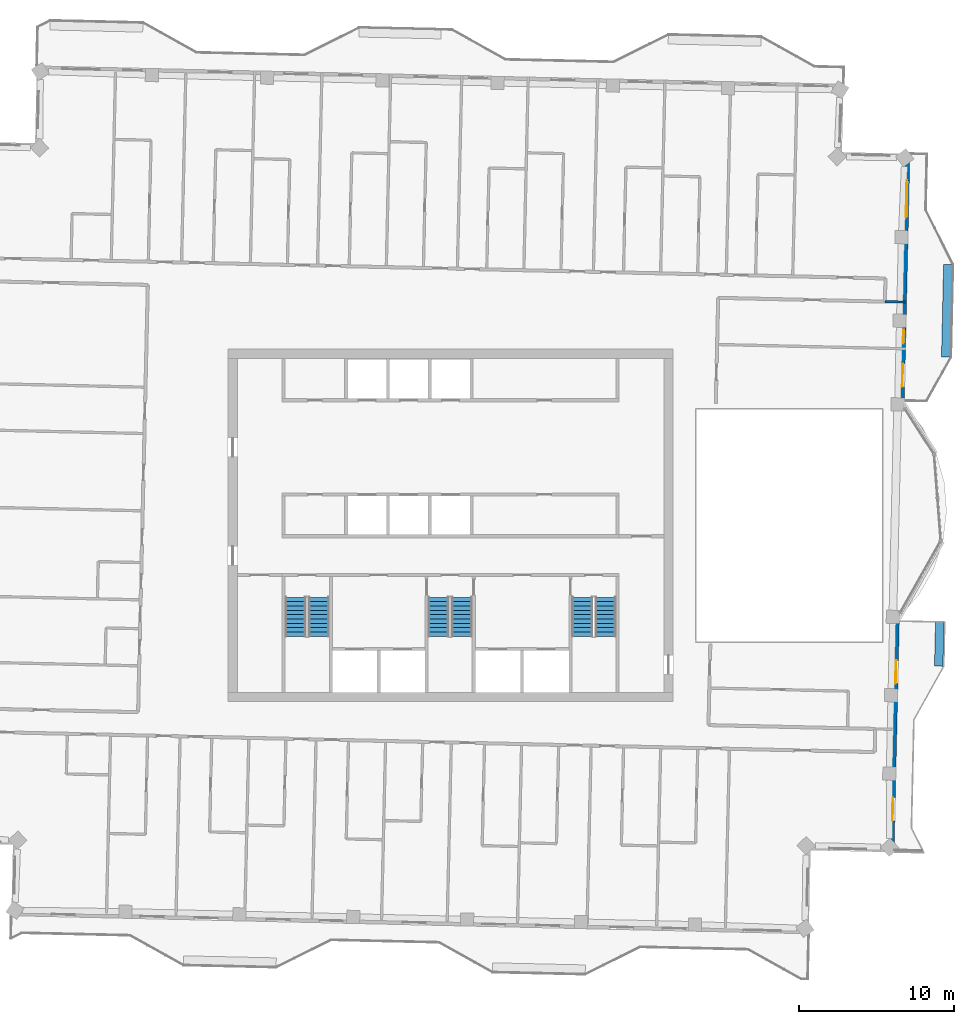
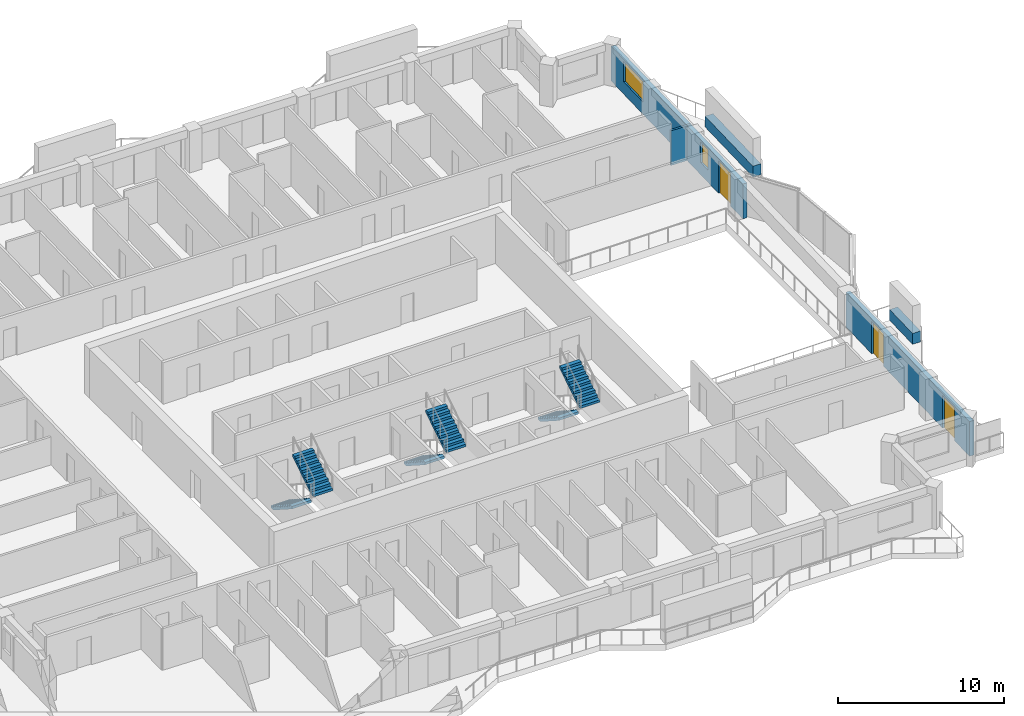
# One storey, part 11 of 15: 6 stair flights, 5 walls, 3 doors, 2 windows, 5 openings, 3 elements without a shape of their own.
"""IFC4 building model written with IfcOpenShell, lengths in metres."""

from ifc_helpers import new_model, si_unit, direction, frame, frame_2d, origin, place, context, subcontext, project, spatial, polyline, rectangle, outline, extrude, material, layer, layer_set, type_object, element, fill, aggregate, save


model = new_model("IFC4")

# Units and contexts
model_context = context("Model", 3, precision=1e-05, world=origin(), true_north=direction((0.0, 1.0)))
body_context = subcontext(model_context, "Body", "Model", "MODEL_VIEW")
ifc_project = project(units=[si_unit("LENGTHUNIT", "METRE"), si_unit("AREAUNIT", "SQUARE_METRE"), si_unit("VOLUMEUNIT", "CUBIC_METRE"), si_unit("PLANEANGLEUNIT", "RADIAN"), si_unit("MASSUNIT", "GRAM", prefix="KILO")], contexts=[model_context])

# Site, building, storey
site_placement = place(None, origin())
site = spatial("IfcSite", under=ifc_project, at=site_placement, CompositionType="ELEMENT")
building_placement = place(site_placement, origin())
building = spatial("IfcBuilding", under=site, at=building_placement, Name="Mangrove Gate Tower", CompositionType="ELEMENT")
storey_placement = place(building_placement, frame((0.0, 0.0, 320.5)))
storey = spatial("IfcBuildingStorey", under=building, at=storey_placement, Name="L82", CompositionType="ELEMENT", Elevation=320.5)

# Wall, openings, doors
ifc_material_1 = material(Name="Limestone", Category="masonry")
ifc_layer_1 = layer(ifc_material_1, 0.0400390625, Name="Limestone cladding")
ifc_material_2 = material(Name="Ventilated air gap")
ifc_layer_2 = layer(ifc_material_2, 0.0400390625, Name="Ventilated cavity")
ifc_material_3 = material(Name="Mineral wool insulation")
ifc_layer_3 = layer(ifc_material_3, 0.06005859375, Name="Insulation")
ifc_material_4 = material(Name="Breather membrane")
ifc_layer_4 = layer(ifc_material_4, 0.001953125, Name="Breather membrane")
ifc_material_5 = material(Name="Concrete C20/25 blockwork", Category="masonry")
ifc_layer_5 = layer(ifc_material_5, 0.14990234375, Name="Blockwork backing wall")
ifc_material_6 = material(Name="Gypsum plaster")
ifc_layer_6 = layer(ifc_material_6, 0.008056640625, Name="Internal plaster")
ifc_layer_set_1 = layer_set([ifc_layer_1, ifc_layer_2, ifc_layer_3, ifc_layer_4, ifc_layer_5, ifc_layer_6], Name="External wall 300 limestone cladding")
wall_type_1 = type_object("IfcWallType", Name="External wall 300 limestone cladding", PredefinedType="SOLIDWALL", material=ifc_layer_set_1)
wall_1_placement = place(storey_placement, frame((28.5439453125, -20.989990234375, 0.0), z_axis=(0.0, 0.0, 1.0), x_axis=(0.02271281838, 0.999742030667, 0.0)))
wall_1 = element("IfcWall", 1, at=wall_1_placement, inside=storey, type_object=wall_type_1, Name="WALL-L82-E0s1", PredefinedType="SOLIDWALL", context=body_context, shape_type="SweptSolid", body=[
    extrude(rectangle(XDim=15.5, YDim=0.300048828125, at=frame_2d((7.75, 0.0))), origin(), (0.0, 0.0, 1.0), 2.550048828125),
])
opening_1_placement = place(wall_1_placement, frame((1.8798828125, 0.0, 0.0)))
opening_1 = element("IfcOpeningElement", 2, at=opening_1_placement, cuts=wall_1, Name="Opening BD1", PredefinedType="OPENING", context=body_context, shape_type="SweptSolid", body=[
    extrude(rectangle(XDim=1.5, YDim=2.39990234375, at=frame_2d((0.75, 1.199951171875))), frame((0.0, 0.159912109375, 0.0), z_axis=(0.0, -1.0, 0.0), x_axis=(1.0, 0.0, 0.0)), (0.0, 0.0, 1.0), 0.320068359375),
])
opening_2_placement = place(wall_1_placement, frame((10.758056640625, 0.0, 0.0)))
opening_2 = element("IfcOpeningElement", 3, at=opening_2_placement, cuts=wall_1, Name="Opening BD1", PredefinedType="OPENING", context=body_context, shape_type="SweptSolid", body=[
    extrude(rectangle(XDim=1.5, YDim=2.39990234375, at=frame_2d((0.75, 1.199951171875))), frame((0.0, 0.159912109375, 0.0), z_axis=(0.0, -1.0, 0.0), x_axis=(1.0, 0.0, 0.0)), (0.0, 0.0, 1.0), 0.320068359375),
])
ifc_material_7 = material(Name="Aluminium frame with laminated clear glass", Category="aluminium")
door_type = type_object("IfcDoorType", Name="Balcony sliding door 1500x2400", OperationType="SLIDING_TO_LEFT", PredefinedType="DOOR", material=ifc_material_7)
door_1_placement = place(opening_1_placement, origin())
door_1 = element("IfcDoor", 4, at=door_1_placement, inside=storey, type_object=door_type, Name="DOOR-L82-E0-1", OperationType="SLIDING_TO_LEFT", OverallHeight=2.39990234375, OverallWidth=1.5, PredefinedType="DOOR", context=body_context, shape_type="SweptSolid", body=[
    extrude(rectangle(XDim=1.5, YDim=2.39990234375, at=frame_2d((0.75, 1.199951171875))), frame((0.0, 0.02490234375, 0.0), z_axis=(0.0, -1.0, 0.0), x_axis=(1.0, 0.0, 0.0)), (0.0, 0.0, 1.0), 0.050048828125),
])
fill(opening_1, door_1)
door_2_placement = place(opening_2_placement, origin())
door_2 = element("IfcDoor", 5, at=door_2_placement, inside=storey, type_object=door_type, Name="DOOR-L82-E0-2", OperationType="SLIDING_TO_LEFT", OverallHeight=2.39990234375, OverallWidth=1.5, PredefinedType="DOOR", context=body_context, shape_type="SweptSolid", body=[
    extrude(rectangle(XDim=1.5, YDim=2.39990234375, at=frame_2d((0.75, 1.199951171875))), frame((0.0, 0.02490234375, 0.0), z_axis=(0.0, -1.0, 0.0), x_axis=(1.0, 0.0, 0.0)), (0.0, 0.0, 1.0), 0.050048828125),
])
fill(opening_2, door_2)

# Wall, openings, door, windows
wall_2_placement = place(storey_placement, frame((29.18798828125, 7.404052734375, 0.0), z_axis=(0.0, 0.0, 1.0), x_axis=(0.022728463996, 0.999741675096, 0.0)))
wall_2 = element("IfcWall", 6, at=wall_2_placement, inside=storey, type_object=wall_type_1, Name="WALL-L82-E2s1", PredefinedType="SOLIDWALL", context=body_context, shape_type="SweptSolid", body=[
    extrude(rectangle(XDim=16.4990234375, YDim=0.300048828125, at=frame_2d((8.24951171875, 0.0))), origin(), (0.0, 0.0, 1.0), 2.550048828125),
])
opening_3_placement = place(wall_2_placement, frame((1.56298828125, 0.0, 0.0)))
opening_3 = element("IfcOpeningElement", 7, at=opening_3_placement, cuts=wall_2, Name="Opening BD1", PredefinedType="OPENING", context=body_context, shape_type="SweptSolid", body=[
    extrude(rectangle(XDim=1.5, YDim=2.39990234375, at=frame_2d((0.75, 1.199951171875))), frame((0.0, 0.159912109375, 0.0), z_axis=(0.0, -1.0, 0.0), x_axis=(1.0, 0.0, 0.0)), (0.0, 0.0, 1.0), 0.320068359375),
])
opening_4_placement = place(wall_2_placement, frame((4.366943359375, 0.0, 0.89990234375)))
opening_4 = element("IfcOpeningElement", 8, at=opening_4_placement, cuts=wall_2, Name="Opening W5", PredefinedType="OPENING", context=body_context, shape_type="SweptSolid", body=[
    extrude(rectangle(XDim=0.89990234375, YDim=1.5, at=frame_2d((0.449951171875, 0.75))), frame((0.0, 0.159912109375, 0.0), z_axis=(0.0, -1.0, 0.0), x_axis=(1.0, 0.0, 0.0)), (0.0, 0.0, 1.0), 0.320068359375),
])
opening_5_placement = place(wall_2_placement, frame((12.52392578125, 0.0, 0.89990234375)))
opening_5 = element("IfcOpeningElement", 9, at=opening_5_placement, cuts=wall_2, Name="Opening W2", PredefinedType="OPENING", context=body_context, shape_type="SweptSolid", body=[
    extrude(rectangle(XDim=2.39990234375, YDim=1.5, at=frame_2d((1.199951171875, 0.75))), frame((0.0, 0.159912109375, 0.0), z_axis=(0.0, -1.0, 0.0), x_axis=(1.0, 0.0, 0.0)), (0.0, 0.0, 1.0), 0.320068359375),
])
door_3_placement = place(opening_3_placement, origin())
door_3 = element("IfcDoor", 10, at=door_3_placement, inside=storey, type_object=door_type, Name="DOOR-L82-E2-1", OperationType="SLIDING_TO_LEFT", OverallHeight=2.39990234375, OverallWidth=1.5, PredefinedType="DOOR", context=body_context, shape_type="SweptSolid", body=[
    extrude(rectangle(XDim=1.5, YDim=2.39990234375, at=frame_2d((0.75, 1.199951171875))), frame((0.0, 0.02490234375, 0.0), z_axis=(0.0, -1.0, 0.0), x_axis=(1.0, 0.0, 0.0)), (0.0, 0.0, 1.0), 0.050048828125),
])
fill(opening_3, door_3)
ifc_material_8 = material(Name="Aluminium frame with double-glazed low-e glass", Category="aluminium")
window_type_1 = type_object("IfcWindowType", Name="Corner room window 2400x1500", PartitioningType="DOUBLE_PANEL_VERTICAL", PredefinedType="WINDOW", material=ifc_material_8)
window_1_placement = place(opening_5_placement, origin())
window_1 = element("IfcWindow", 11, at=window_1_placement, inside=storey, type_object=window_type_1, Name="WIN-L82-E2-3", OverallHeight=1.5, OverallWidth=2.39990234375, PartitioningType="DOUBLE_PANEL_VERTICAL", PredefinedType="WINDOW", context=body_context, shape_type="SweptSolid", body=[
    extrude(rectangle(XDim=2.39990234375, YDim=1.5, at=frame_2d((1.199951171875, 0.75))), frame((0.0, 0.030029296875, 0.0), z_axis=(0.0, -1.0, 0.0), x_axis=(1.0, 0.0, 0.0)), (0.0, 0.0, 1.0), 0.06005859375),
])
fill(opening_5, window_1)
ifc_material_9 = material(Name="Aluminium frame with double-glazed low-e glass", Category="aluminium")
window_type_2 = type_object("IfcWindowType", Name="Narrow window 900x1500", PartitioningType="SINGLE_PANEL", PredefinedType="WINDOW", material=ifc_material_9)
window_2_placement = place(opening_4_placement, origin())
window_2 = element("IfcWindow", 12, at=window_2_placement, inside=storey, type_object=window_type_2, Name="WIN-L82-E2-2", OverallHeight=1.5, OverallWidth=0.89990234375, PartitioningType="SINGLE_PANEL", PredefinedType="WINDOW", context=body_context, shape_type="SweptSolid", body=[
    extrude(rectangle(XDim=0.89990234375, YDim=1.5, at=frame_2d((0.449951171875, 0.75))), frame((0.0, 0.030029296875, 0.0), z_axis=(0.0, -1.0, 0.0), x_axis=(1.0, 0.0, 0.0)), (0.0, 0.0, 1.0), 0.06005859375),
])
fill(opening_4, window_2)

# Walls
ifc_material_10 = material(Name="Gypsum board on steel stud, EI 60", Category="steel")
ifc_layer_7 = layer(ifc_material_10, 0.14990234375)
ifc_layer_set_2 = layer_set([ifc_layer_7], Name="Party wall 150 EI 60")
wall_type_2 = type_object("IfcWallType", Name="Party wall 150 EI 60", PredefinedType="PARTITIONING", material=ifc_layer_set_2)
wall_3_placement = place(storey_placement, frame((28.09912109375, 14.47998046875, 0.0), z_axis=(0.0, 0.0, 1.0), x_axis=(0.999738763928, -0.022856156732, 0.0)))
element("IfcWall", 13, at=wall_3_placement, inside=storey, type_object=wall_type_2, Name="WALL-L82-057", PredefinedType="PARTITIONING", context=body_context, shape_type="SweptSolid", body=[
    extrude(rectangle(XDim=1.399169921875, YDim=0.14990234375, at=frame_2d((0.69970703125, 0.0))), origin(), (0.0, 0.0, 1.0), 2.550048828125),
])
ifc_material_11 = material(Name="Concrete C32/40", Category="concrete")
ifc_layer_8 = layer(ifc_material_11, 0.199951171875, Name="Planter trough wall")
ifc_material_12 = material(Name="Bituminous waterproofing membrane")
ifc_layer_9 = layer(ifc_material_12, 0.0048828125, Name="Waterproofing")
ifc_material_13 = material(Name="Drainage board and gravel")
ifc_layer_10 = layer(ifc_material_13, 0.044921875, Name="Drainage layer")
ifc_material_14 = material(Name="Planting soil")
ifc_layer_11 = layer(ifc_material_14, 0.300048828125, Name="Growing medium")
ifc_layer_set_3 = layer_set([ifc_layer_8, ifc_layer_9, ifc_layer_10, ifc_layer_11], Name="Planter wall 550 C32/40")
wall_type_3 = type_object("IfcWallType", Name="Planter wall 550 C32/40", PredefinedType="USERDEFINED", material=ifc_layer_set_3)
wall_4_placement = place(storey_placement, frame((31.580078125, -9.10595703125, 0.0), z_axis=(0.0, 0.0, 1.0), x_axis=(0.022590224177, 0.999744808324, 0.0)))
element("IfcWall", 14, at=wall_4_placement, inside=storey, type_object=wall_type_3, Name="PLANTER L82 E0.1", ObjectType="PLANTER", PredefinedType="USERDEFINED", context=body_context, shape_type="SweptSolid", body=[
    extrude(rectangle(XDim=2.874755859375, YDim=0.550048828125, at=frame_2d((1.4375, 0.0))), origin(), (0.0, 0.0, 1.0), 0.800048828125),
])
wall_5_placement = place(storey_placement, frame((32.032958984375, 10.888916015625, 0.0), z_axis=(0.0, 0.0, 1.0), x_axis=(0.022662255828, 0.999743178102, 0.0)))
element("IfcWall", 15, at=wall_5_placement, inside=storey, type_object=wall_type_3, Name="PLANTER L82 E1.1", ObjectType="PLANTER", PredefinedType="USERDEFINED", context=body_context, shape_type="SweptSolid", body=[
    extrude(rectangle(XDim=6.00048828125, YDim=0.550048828125, at=frame_2d((3.000244140625, 0.0))), origin(), (0.0, 0.0, 1.0), 0.800048828125),
])

# Stair, stair flights
ifc_material_15 = material(Name="Concrete C40/50", Category="concrete")
stair_type = type_object("IfcStairType", Name="Core stair 1350", PredefinedType="HALF_TURN_STAIR", material=ifc_material_15)
stair_1_placement = place(storey_placement, origin())
stair_1 = element("IfcStair", 16, at=stair_1_placement, inside=storey, type_object=stair_type, Name="L82 Stair 1", PredefinedType="HALF_TURN_STAIR")
ifc_material_16 = material(Name="Concrete C40/50", Category="concrete")
stair_flight_type = type_object("IfcStairFlightType", Name="Core stair flight 1350", PredefinedType="STRAIGHT", material=ifc_material_16)
stair_flight_1_placement = place(storey_placement, frame((-10.02490234375, -4.64990234375, 0.0), z_axis=(0.0, 0.0, 1.0), x_axis=(0.0, -1.0, 0.0)))
stair_flight_1 = element("IfcStairFlight", 17, at=stair_flight_1_placement, type_object=stair_flight_type, Name="ST1 flight 1", NumberOfRisers=10, NumberOfTreads=9, PredefinedType="STRAIGHT", RiserHeight=0.18, TreadLength=0.28, context=body_context, shape_type="SweptSolid", body=[
    extrude(outline(polyline([(0.0, 0.0), (0.0, 0.179931640625), (0.280029296875, 0.179931640625), (0.280029296875, 0.360107421875), (0.56005859375, 0.360107421875), (0.56005859375, 0.5400390625), (0.840087890625, 0.5400390625), (0.840087890625, 0.719970703125), (1.1201171875, 0.719970703125), (1.1201171875, 0.89990234375), (1.39990234375, 0.89990234375), (1.39990234375, 1.080078125), (1.679931640625, 1.080078125), (1.679931640625, 1.260009765625), (1.9599609375, 1.260009765625), (1.9599609375, 1.43994140625), (2.239990234375, 1.43994140625), (2.239990234375, 1.6201171875), (2.52001953125, 1.6201171875), (2.52001953125, 1.800048828125), (2.52001953125, 1.44189453125), (0.277099609375, 0.0), (0.0, 0.0)])), frame((0.0, 0.675048828125, 0.0), z_axis=(0.0, -1.0, 0.0), x_axis=(1.0, 0.0, 0.0)), (0.0, 0.0, 1.0), 1.35009765625),
])
stair_flight_2_placement = place(storey_placement, frame((-8.52490234375, -7.169921875, 1.800048828125), z_axis=(0.0, 0.0, 1.0), x_axis=(0.0, 1.0, 0.0)))
stair_flight_2 = element("IfcStairFlight", 18, at=stair_flight_2_placement, type_object=stair_flight_type, Name="ST1 flight 2", NumberOfRisers=10, NumberOfTreads=9, PredefinedType="STRAIGHT", RiserHeight=0.18, TreadLength=0.28, context=body_context, shape_type="SweptSolid", body=[
    extrude(outline(polyline([(0.0, 0.0), (0.0, 0.179931640625), (0.280029296875, 0.179931640625), (0.280029296875, 0.360107421875), (0.56005859375, 0.360107421875), (0.56005859375, 0.5400390625), (0.840087890625, 0.5400390625), (0.840087890625, 0.719970703125), (1.1201171875, 0.719970703125), (1.1201171875, 0.89990234375), (1.39990234375, 0.89990234375), (1.39990234375, 1.080078125), (1.679931640625, 1.080078125), (1.679931640625, 1.260009765625), (1.9599609375, 1.260009765625), (1.9599609375, 1.43994140625), (2.239990234375, 1.43994140625), (2.239990234375, 1.6201171875), (2.52001953125, 1.6201171875), (2.52001953125, 1.800048828125), (2.52001953125, 1.44189453125), (0.277099609375, 0.0), (0.0, 0.0)])), frame((0.0, 0.675048828125, 0.0), z_axis=(0.0, -1.0, 0.0), x_axis=(1.0, 0.0, 0.0)), (0.0, 0.0, 1.0), 1.35009765625),
])
aggregate(stair_1, [stair_flight_1, stair_flight_2])

stair_2_placement = place(storey_placement, origin())
stair_2 = element("IfcStair", 19, at=stair_2_placement, inside=storey, type_object=stair_type, Name="L82 Stair 2", PredefinedType="HALF_TURN_STAIR")
stair_flight_3_placement = place(storey_placement, frame((-0.77490234375, -4.64990234375, 0.0), z_axis=(0.0, 0.0, 1.0), x_axis=(0.0, -1.0, 0.0)))
stair_flight_3 = element("IfcStairFlight", 20, at=stair_flight_3_placement, type_object=stair_flight_type, Name="ST2 flight 1", NumberOfRisers=10, NumberOfTreads=9, PredefinedType="STRAIGHT", RiserHeight=0.18, TreadLength=0.28, context=body_context, shape_type="SweptSolid", body=[
    extrude(outline(polyline([(0.0, 0.0), (0.0, 0.179931640625), (0.280029296875, 0.179931640625), (0.280029296875, 0.360107421875), (0.56005859375, 0.360107421875), (0.56005859375, 0.5400390625), (0.840087890625, 0.5400390625), (0.840087890625, 0.719970703125), (1.1201171875, 0.719970703125), (1.1201171875, 0.89990234375), (1.39990234375, 0.89990234375), (1.39990234375, 1.080078125), (1.679931640625, 1.080078125), (1.679931640625, 1.260009765625), (1.9599609375, 1.260009765625), (1.9599609375, 1.43994140625), (2.239990234375, 1.43994140625), (2.239990234375, 1.6201171875), (2.52001953125, 1.6201171875), (2.52001953125, 1.800048828125), (2.52001953125, 1.44189453125), (0.277099609375, 0.0), (0.0, 0.0)])), frame((0.0, 0.675048828125, 0.0), z_axis=(0.0, -1.0, 0.0), x_axis=(1.0, 0.0, 0.0)), (0.0, 0.0, 1.0), 1.35009765625),
])
stair_flight_4_placement = place(storey_placement, frame((0.72509765625, -7.169921875, 1.800048828125), z_axis=(0.0, 0.0, 1.0), x_axis=(0.0, 1.0, 0.0)))
stair_flight_4 = element("IfcStairFlight", 21, at=stair_flight_4_placement, type_object=stair_flight_type, Name="ST2 flight 2", NumberOfRisers=10, NumberOfTreads=9, PredefinedType="STRAIGHT", RiserHeight=0.18, TreadLength=0.28, context=body_context, shape_type="SweptSolid", body=[
    extrude(outline(polyline([(0.0, 0.0), (0.0, 0.179931640625), (0.280029296875, 0.179931640625), (0.280029296875, 0.360107421875), (0.56005859375, 0.360107421875), (0.56005859375, 0.5400390625), (0.840087890625, 0.5400390625), (0.840087890625, 0.719970703125), (1.1201171875, 0.719970703125), (1.1201171875, 0.89990234375), (1.39990234375, 0.89990234375), (1.39990234375, 1.080078125), (1.679931640625, 1.080078125), (1.679931640625, 1.260009765625), (1.9599609375, 1.260009765625), (1.9599609375, 1.43994140625), (2.239990234375, 1.43994140625), (2.239990234375, 1.6201171875), (2.52001953125, 1.6201171875), (2.52001953125, 1.800048828125), (2.52001953125, 1.44189453125), (0.277099609375, 0.0), (0.0, 0.0)])), frame((0.0, 0.675048828125, 0.0), z_axis=(0.0, -1.0, 0.0), x_axis=(1.0, 0.0, 0.0)), (0.0, 0.0, 1.0), 1.35009765625),
])
aggregate(stair_2, [stair_flight_3, stair_flight_4])

stair_3_placement = place(storey_placement, origin())
stair_3 = element("IfcStair", 22, at=stair_3_placement, inside=storey, type_object=stair_type, Name="L82 Stair 3", PredefinedType="HALF_TURN_STAIR")
stair_flight_5_placement = place(storey_placement, frame((8.52490234375, -4.64990234375, 0.0), z_axis=(0.0, 0.0, 1.0), x_axis=(0.0, -1.0, 0.0)))
stair_flight_5 = element("IfcStairFlight", 23, at=stair_flight_5_placement, type_object=stair_flight_type, Name="ST3 flight 1", NumberOfRisers=10, NumberOfTreads=9, PredefinedType="STRAIGHT", RiserHeight=0.18, TreadLength=0.28, context=body_context, shape_type="SweptSolid", body=[
    extrude(outline(polyline([(0.0, 0.0), (0.0, 0.179931640625), (0.280029296875, 0.179931640625), (0.280029296875, 0.360107421875), (0.56005859375, 0.360107421875), (0.56005859375, 0.5400390625), (0.840087890625, 0.5400390625), (0.840087890625, 0.719970703125), (1.1201171875, 0.719970703125), (1.1201171875, 0.89990234375), (1.39990234375, 0.89990234375), (1.39990234375, 1.080078125), (1.679931640625, 1.080078125), (1.679931640625, 1.260009765625), (1.9599609375, 1.260009765625), (1.9599609375, 1.43994140625), (2.239990234375, 1.43994140625), (2.239990234375, 1.6201171875), (2.52001953125, 1.6201171875), (2.52001953125, 1.800048828125), (2.52001953125, 1.44189453125), (0.277099609375, 0.0), (0.0, 0.0)])), frame((0.0, 0.675048828125, 0.0), z_axis=(0.0, -1.0, 0.0), x_axis=(1.0, 0.0, 0.0)), (0.0, 0.0, 1.0), 1.35009765625),
])
stair_flight_6_placement = place(storey_placement, frame((10.02490234375, -7.169921875, 1.800048828125), z_axis=(0.0, 0.0, 1.0), x_axis=(0.0, 1.0, 0.0)))
stair_flight_6 = element("IfcStairFlight", 24, at=stair_flight_6_placement, type_object=stair_flight_type, Name="ST3 flight 2", NumberOfRisers=10, NumberOfTreads=9, PredefinedType="STRAIGHT", RiserHeight=0.18, TreadLength=0.28, context=body_context, shape_type="SweptSolid", body=[
    extrude(outline(polyline([(0.0, 0.0), (0.0, 0.179931640625), (0.280029296875, 0.179931640625), (0.280029296875, 0.360107421875), (0.56005859375, 0.360107421875), (0.56005859375, 0.5400390625), (0.840087890625, 0.5400390625), (0.840087890625, 0.719970703125), (1.1201171875, 0.719970703125), (1.1201171875, 0.89990234375), (1.39990234375, 0.89990234375), (1.39990234375, 1.080078125), (1.679931640625, 1.080078125), (1.679931640625, 1.260009765625), (1.9599609375, 1.260009765625), (1.9599609375, 1.43994140625), (2.239990234375, 1.43994140625), (2.239990234375, 1.6201171875), (2.52001953125, 1.6201171875), (2.52001953125, 1.800048828125), (2.52001953125, 1.44189453125), (0.277099609375, 0.0), (0.0, 0.0)])), frame((0.0, 0.675048828125, 0.0), z_axis=(0.0, -1.0, 0.0), x_axis=(1.0, 0.0, 0.0)), (0.0, 0.0, 1.0), 1.35009765625),
])
aggregate(stair_3, [stair_flight_5, stair_flight_6])

save(model, "model.ifc")
